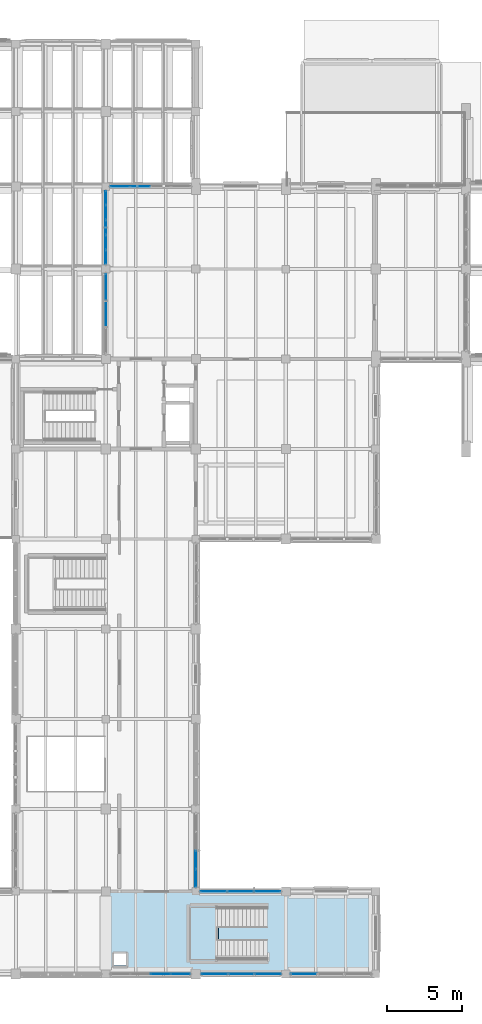
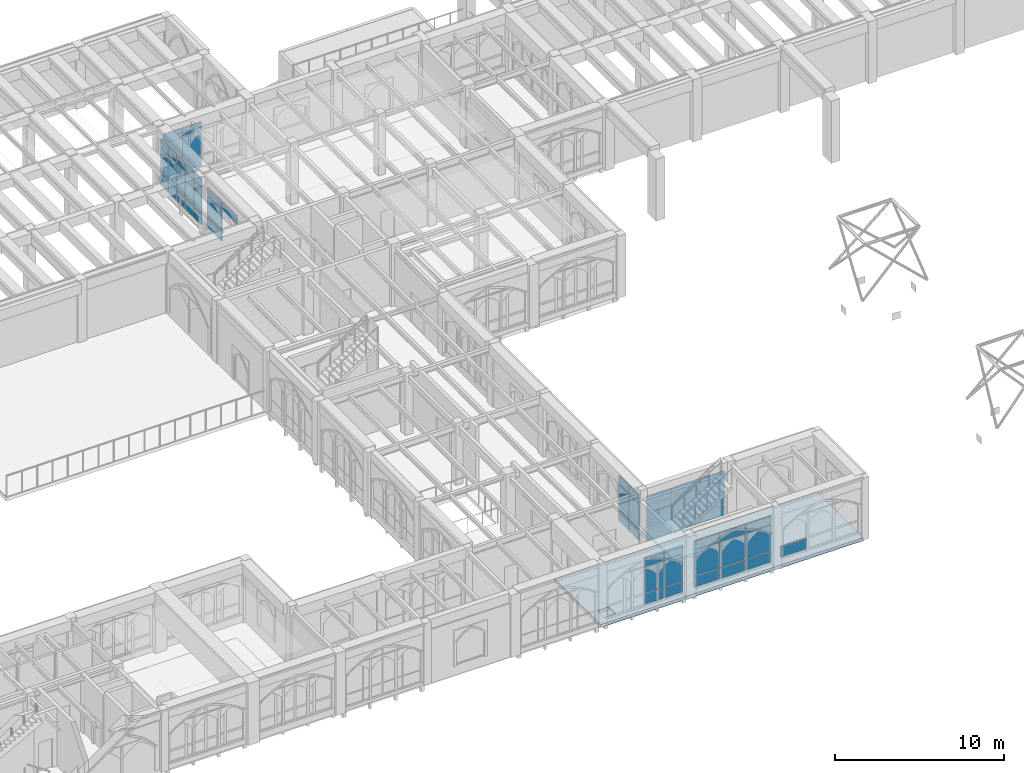
# One storey, part 69 of 127: 56 plates, 2 slabs, 9 elements without a shape of their own.
"""IFC4 building model written with IfcOpenShell, lengths in metres."""

import ifcopenshell
import ifcopenshell.guid

model = None  # the IFC model being written
_history = None  # IfcOwnerHistory: only IFC2X3 demands one
_inside = {}  # id of a spatial element -> (the spatial element, [elements in it])
_under = {}  # id of a project, library or spatial element -> (it, [spatial elements below it])
_declared = {}  # id of a project -> (the project, [libraries it declares])
_typed = {}  # id of a type object -> (the type object, [elements of that type])
_made_of = {}  # id of a material, layer set ... -> (it, [elements and type objects made of it])


def new_model(schema):
    """Start an empty IFC model of exactly this schema.

    Asked for "IFC4X3", IfcOpenShell would pick the latest addendum, in which some entities
    have other attributes; the version numbers below select the first issue.
    IFC2X3 requires an IfcOwnerHistory on every rooted entity: one is made here for all.
    """
    global model, _history
    if schema == "IFC4X3":
        model = ifcopenshell.file(schema_version=(4, 3, 0, 0))
    else:
        model = ifcopenshell.file(schema=schema)
    _inside.clear()
    _under.clear()
    _declared.clear()
    _typed.clear()
    _made_of.clear()
    _history = None
    if model.schema == "IFC2X3":
        org = make("IfcOrganization", Name="unknown")
        user = make(
            "IfcPersonAndOrganization",
            ThePerson=make("IfcPerson", FamilyName="unknown"),
            TheOrganization=org,
        )
        app = make(
            "IfcApplication",
            ApplicationDeveloper=org,
            Version="unknown",
            ApplicationFullName="unknown",
            ApplicationIdentifier="unknown",
        )
        _history = make(
            "IfcOwnerHistory",
            OwningUser=user,
            OwningApplication=app,
            ChangeAction="ADDED",
            CreationDate=0,
        )
    return model


def make(cls, **values):
    """One entity of the class cls with the attributes given. An attribute that is None is left unset."""
    return model.create_entity(
        cls, **{name: value for name, value in values.items() if value is not None}
    )


def rooted(cls, **values):
    """An entity with a GlobalId (a new one), such as an element, a storey or a relation."""
    return make(cls, GlobalId=ifcopenshell.guid.new(), OwnerHistory=_history, **values)


def si_unit(unit_type, name, prefix=None):
    """IfcSIUnit, for example si_unit("LENGTHUNIT", "METRE", prefix="MILLI")."""
    return make("IfcSIUnit", UnitType=unit_type, Prefix=prefix, Name=name)


def assignment(units):
    """IfcUnitAssignment: the units of a project."""
    return None if units is None else make("IfcUnitAssignment", Units=units)


def point(xyz):
    """IfcCartesianPoint."""
    return None if xyz is None else make("IfcCartesianPoint", Coordinates=xyz)


def direction(xyz):
    """IfcDirection."""
    return None if xyz is None else make("IfcDirection", DirectionRatios=xyz)


def frame(location, z_axis=None, x_axis=None):
    """IfcAxis2Placement3D, a coordinate frame: its origin and axes. An axis left out is left unset."""
    return make(
        "IfcAxis2Placement3D",
        Location=point(location),
        Axis=direction(z_axis),
        RefDirection=direction(x_axis),
    )


def frame_2d(location, x_axis=None):
    """IfcAxis2Placement2D, a coordinate frame in the plane: its origin and x axis."""
    return make(
        "IfcAxis2Placement2D", Location=point(location), RefDirection=direction(x_axis)
    )


def origin():
    """The frame at (0, 0, 0) with its axes left unset."""
    return frame((0.0, 0.0, 0.0))


def origin_2d():
    """The frame at (0, 0) in the plane with its x axis left unset."""
    return frame_2d((0.0, 0.0))


def place(relative_to, where):
    """IfcLocalPlacement: puts the frame where relative to a parent placement (None: the world)."""
    return make(
        "IfcLocalPlacement", PlacementRelTo=relative_to, RelativePlacement=where
    )


def context(
    kind, dimensions, precision=None, world=None, true_north=None, identifier=None
):
    """IfcGeometricRepresentationContext, for example the 3D "Model" context."""
    return make(
        "IfcGeometricRepresentationContext",
        ContextIdentifier=identifier,
        ContextType=kind,
        CoordinateSpaceDimension=dimensions,
        Precision=precision,
        WorldCoordinateSystem=world,
        TrueNorth=true_north,
    )


def subcontext(parent, identifier, kind, view, scale=None):
    """IfcGeometricRepresentationSubContext, for example "Body" below "Model"."""
    return make(
        "IfcGeometricRepresentationSubContext",
        ContextIdentifier=identifier,
        ContextType=kind,
        ParentContext=parent,
        TargetScale=scale,
        TargetView=view,
    )


def project(units=None, contexts=None):
    """IfcProject with its units and contexts."""
    return rooted(
        "IfcProject",
        Name="project",
        RepresentationContexts=contexts,
        UnitsInContext=assignment(units),
    )


def spatial(cls, under=None, at=None, **own):
    """A site, building, storey or space (cls), placed at a placement, below another one or the project."""
    s = rooted(cls, ObjectPlacement=at, **own)
    if under is not None:
        _under.setdefault(under.id(), (under, []))[1].append(s)
    return s


def polyline(points):
    """IfcPolyline through the points."""
    return make("IfcPolyline", Points=[point(p) for p in points])


def profile(cls, at=None, kind="AREA", **sizes):
    """A parametric profile (cls). Its sizes go by their IFC names, for example OverallWidth=200.0."""
    return make(cls, ProfileType=kind, Position=at, **sizes)


def rectangle(**sizes):
    """IfcRectangleProfileDef."""
    return profile("IfcRectangleProfileDef", **sizes)


def outline(outer, holes=None, kind="AREA"):
    """IfcArbitraryClosedProfileDef: a profile drawn as a closed curve; with holes, ...WithVoids."""
    if holes is None:
        return make("IfcArbitraryClosedProfileDef", ProfileType=kind, OuterCurve=outer)
    return make(
        "IfcArbitraryProfileDefWithVoids",
        ProfileType=kind,
        OuterCurve=outer,
        InnerCurves=holes,
    )


def extrude(swept, where, along, depth):
    """IfcExtrudedAreaSolid: the profile swept, set in the frame where, extruded along a direction by depth."""
    return make(
        "IfcExtrudedAreaSolid",
        SweptArea=swept,
        Position=where,
        ExtrudedDirection=direction(along),
        Depth=depth,
    )


def shape(context_of_items, identifier, shape_type, items):
    """IfcShapeRepresentation: the items that make up one representation, for example the "Body"."""
    return make(
        "IfcShapeRepresentation",
        ContextOfItems=context_of_items,
        RepresentationIdentifier=identifier,
        RepresentationType=shape_type,
        Items=items,
    )


def material(Name=None, Category=None):
    """IfcMaterial."""
    return make("IfcMaterial", Name=Name, Category=Category)


def layer(
    of_material, thickness, ventilated=None, Name=None, Category=None, Priority=None
):
    """IfcMaterialLayer: one layer of a wall or slab, of a material (None: an air gap)."""
    return make(
        "IfcMaterialLayer",
        Material=of_material,
        LayerThickness=thickness,
        IsVentilated=ventilated,
        Name=Name,
        Category=Category,
        Priority=Priority,
    )


def layer_set(layers, Name=None):
    """IfcMaterialLayerSet."""
    return make("IfcMaterialLayerSet", MaterialLayers=layers, LayerSetName=Name)


def made_of(thing, what):
    """Note that an element or type object is made of a material, layer set ...; save() writes the relation."""
    if what is not None:
        _made_of.setdefault(what.id(), (what, []))[1].append(thing)
    return thing


def type_object(cls, material=None, **own):
    """A type object (cls), such as IfcWallType, which elements share."""
    return made_of(rooted(cls, **own), material)


def element(
    cls,
    number,
    at=None,
    inside=None,
    cuts=None,
    type_object=None,
    material=None,
    context=None,
    identifier="Body",
    shape_type=None,
    held_by="IfcProductDefinitionShape",
    body=None,
    shapes=None,
    **own,
):
    """One element of the class cls, such as IfcWall. Its Tag is "e" and its number.

    at: its placement. inside: the storey or other place that contains it. cuts: it is an
    opening in that element (IfcRelVoidsElement). A single representation is given by context,
    identifier, shape_type and body (its items); several are given by shapes. held_by: the class
    of the entity that holds the representations. save() writes the other relations.
    """
    e = rooted(cls, Tag="e%d" % number, ObjectPlacement=at, **own)
    if body is not None:
        shapes = [shape(context, identifier, shape_type, body)]
    if shapes is not None:
        e.Representation = make(held_by, Representations=shapes)
    if inside is not None:
        _inside.setdefault(inside.id(), (inside, []))[1].append(e)
    if cuts is not None:
        rooted(
            "IfcRelVoidsElement", RelatingBuildingElement=cuts, RelatedOpeningElement=e
        )
    if type_object is not None:
        _typed.setdefault(type_object.id(), (type_object, []))[1].append(e)
    return made_of(e, material)


def aggregate(whole, parts):
    """IfcRelAggregates: a whole, such as a stair, and the parts it consists of."""
    return rooted("IfcRelAggregates", RelatingObject=whole, RelatedObjects=parts)


def save(model, path):
    """Write the relations noted so far, then the file.

    IfcRelAggregates (storeys below a building ...), IfcRelContainedInSpatialStructure (elements
    in a storey), IfcRelDefinesByType, IfcRelAssociatesMaterial and IfcRelDeclares: one each for
    every whole, place, type object, material and project.
    """
    for whole, parts in _under.values():
        aggregate(whole, parts)
    for where, things in _inside.values():
        rooted(
            "IfcRelContainedInSpatialStructure",
            RelatedElements=things,
            RelatingStructure=where,
        )
    for kind, things in _typed.values():
        rooted("IfcRelDefinesByType", RelatedObjects=things, RelatingType=kind)
    for what, things in _made_of.values():
        rooted("IfcRelAssociatesMaterial", RelatedObjects=things, RelatingMaterial=what)
    for by, libraries in _declared.values():
        rooted("IfcRelDeclares", RelatingContext=by, RelatedDefinitions=libraries)
    model.write(path)


model = new_model("IFC4")

# Units and contexts
model_context = context("Model", 3, precision=1e-05, world=origin(), true_north=direction((0.0, 1.0)))
body_context = subcontext(model_context, "Body", "Model", "MODEL_VIEW")
ifc_project = project(units=[si_unit("LENGTHUNIT", "METRE"), si_unit("AREAUNIT", "SQUARE_METRE"), si_unit("VOLUMEUNIT", "CUBIC_METRE"), si_unit("PLANEANGLEUNIT", "RADIAN"), si_unit("MASSUNIT", "GRAM", prefix="KILO")], contexts=[model_context])

# Site, building, storey
site_placement = place(None, origin())
site = spatial("IfcSite", under=ifc_project, at=site_placement, CompositionType="ELEMENT")
building_placement = place(site_placement, origin())
building = spatial("IfcBuilding", under=site, at=building_placement, Name="Cumevento Cable Car Station", CompositionType="ELEMENT")
storey_placement = place(building_placement, frame((0.0, 0.0, 4.5)))
storey = spatial("IfcBuildingStorey", under=building, at=storey_placement, Name="L02", CompositionType="ELEMENT", Elevation=4.5)

# Slab
ifc_material_1 = material(Name="Concrete C40/50", Category="concrete")
ifc_layer_1 = layer(ifc_material_1, 0.22412109375)
ifc_layer_set_1 = layer_set([ifc_layer_1], Name="Concrete C40/50")
slab_type_1 = type_object("IfcSlabType", Name="Concrete Deck FS-224 224", PredefinedType="FLOOR", material=ifc_layer_set_1)
slab_1_placement = place(storey_placement, frame((0.0, 0.0, -0.22412109375)))
element("IfcSlab", 1, at=slab_1_placement, inside=storey, type_object=slab_type_1, Name="Floor Slab FS-224 L02 B_V1b.2", PredefinedType="FLOOR", context=body_context, shape_type="SweptSolid", body=[
    extrude(outline(polyline([(64.0, 4.0), (82.0, 4.0), (82.0, 9.5), (64.0, 9.5), (64.0, 4.0)]), holes=[polyline([(64.550048828125, 4.550048828125), (65.35009765625, 4.550048828125), (65.35009765625, 5.35009765625), (64.550048828125, 5.35009765625), (64.550048828125, 4.550048828125)])]), origin(), (0.0, 0.0, 1.0), 0.22412109375),
])

# Curtain wall, plates
ifc_material_2 = material(Name="Anodised Bronze Aluminium AW-6063-T6", Category="aluminium")
ifc_layer_2 = layer(ifc_material_2, 0.23193359375)
ifc_layer_set_2 = layer_set([ifc_layer_2], Name="Anodised Bronze Aluminium AW-6063-T6")
curtain_wall_type_1 = type_object("IfcCurtainWallType", Name="Lancet Curtain Wall CW-13 1530", PredefinedType="NOTDEFINED", material=ifc_layer_set_2)
curtain_wall_1_placement = place(storey_placement, origin())
curtain_wall_1 = element("IfcCurtainWall", 2, at=curtain_wall_1_placement, inside=storey, type_object=curtain_wall_type_1, Name="Lancet Curtain Wall CW-13 L02 #28", PredefinedType="NOTDEFINED")
ifc_material_3 = material(Name="Solar Control Laminated Double Glazing", Category="glass")
ifc_layer_3 = layer(ifc_material_3, 0.02197265625)
ifc_layer_set_3 = layer_set([ifc_layer_3], Name="Solar Control Laminated Double Glazing")
plate_type_1 = type_object("IfcPlateType", Name="Glazed Panel CWP-01 22", PredefinedType="CURTAIN_PANEL", material=ifc_layer_set_3)
plate_1_placement = place(storey_placement, frame((68.983642578125, 4.0, 0.425048828125), z_axis=(0.0, 0.0, 1.0), x_axis=(-1.0, 0.0, 0.0)))
plate_1 = element("IfcPlate", 3, at=plate_1_placement, type_object=plate_type_1, Name="CW-13 panel 1.1", PredefinedType="CURTAIN_PANEL", context=body_context, shape_type="SweptSolid", body=[
    extrude(rectangle(XDim=1.25244140625, YDim=0.02197265625, at=origin_2d()), origin(), (0.0, 0.0, 1.0), 0.75244140625),
])
plate_2_placement = place(storey_placement, frame((68.983642578125, 4.0, 1.24267578125), z_axis=(0.0, 0.0, 1.0), x_axis=(-1.0, 0.0, 0.0)))
plate_2 = element("IfcPlate", 4, at=plate_2_placement, type_object=plate_type_1, Name="CW-13 panel 1.2", PredefinedType="CURTAIN_PANEL", context=body_context, shape_type="SweptSolid", body=[
    extrude(rectangle(XDim=1.25244140625, YDim=0.02197265625, at=origin_2d()), origin(), (0.0, 0.0, 1.0), 1.882080078125),
])
plate_3_placement = place(storey_placement, frame((68.983642578125, 4.0, 3.189453125), z_axis=(0.0, 0.0, 1.0), x_axis=(-1.0, 0.0, 0.0)))
plate_3 = element("IfcPlate", 5, at=plate_3_placement, type_object=plate_type_1, Name="CW-13 panel 1.3", PredefinedType="CURTAIN_PANEL", context=body_context, shape_type="SweptSolid", body=[
    extrude(rectangle(XDim=1.25244140625, YDim=0.02197265625, at=origin_2d()), origin(), (0.0, 0.0, 1.0), 0.6025390625),
])
plate_4_placement = place(storey_placement, frame((67.64990234375, 4.0, 0.425048828125), z_axis=(0.0, 0.0, 1.0), x_axis=(-1.0, 0.0, 0.0)))
plate_4 = element("IfcPlate", 6, at=plate_4_placement, type_object=plate_type_1, Name="CW-13 panel 2.1", PredefinedType="CURTAIN_PANEL", context=body_context, shape_type="SweptSolid", body=[
    extrude(rectangle(XDim=1.284912109375, YDim=0.02197265625, at=origin_2d()), origin(), (0.0, 0.0, 1.0), 0.75244140625),
])
plate_5_placement = place(storey_placement, frame((67.64990234375, 4.0, 1.24267578125), z_axis=(0.0, 0.0, 1.0), x_axis=(-1.0, 0.0, 0.0)))
plate_5 = element("IfcPlate", 7, at=plate_5_placement, type_object=plate_type_1, Name="CW-13 panel 2.2", PredefinedType="CURTAIN_PANEL", context=body_context, shape_type="SweptSolid", body=[
    extrude(rectangle(XDim=1.284912109375, YDim=0.02197265625, at=origin_2d()), origin(), (0.0, 0.0, 1.0), 1.882080078125),
])
plate_6_placement = place(storey_placement, frame((67.64990234375, 4.0, 3.189453125), z_axis=(0.0, 0.0, 1.0), x_axis=(-1.0, 0.0, 0.0)))
plate_6 = element("IfcPlate", 8, at=plate_6_placement, type_object=plate_type_1, Name="CW-13 panel 2.3", PredefinedType="CURTAIN_PANEL", context=body_context, shape_type="SweptSolid", body=[
    extrude(rectangle(XDim=1.284912109375, YDim=0.02197265625, at=origin_2d()), origin(), (0.0, 0.0, 1.0), 0.6025390625),
])
aggregate(curtain_wall_1, [plate_1, plate_2, plate_3, plate_4, plate_5, plate_6])

ifc_material_4 = material(Name="Anodised Bronze Aluminium AW-6063-T6", Category="aluminium")
ifc_layer_4 = layer(ifc_material_4, 0.238037109375)
ifc_layer_set_4 = layer_set([ifc_layer_4], Name="Anodised Bronze Aluminium AW-6063-T6")
curtain_wall_type_2 = type_object("IfcCurtainWallType", Name="Lancet Curtain Wall CW-14 1570", PredefinedType="NOTDEFINED", material=ifc_layer_set_4)
curtain_wall_2_placement = place(storey_placement, origin())
curtain_wall_2 = element("IfcCurtainWall", 9, at=curtain_wall_2_placement, inside=storey, type_object=curtain_wall_type_2, Name="Lancet Curtain Wall CW-14 L02 #29", PredefinedType="NOTDEFINED")
ifc_material_5 = material(Name="Solar Control Laminated Double Glazing", Category="glass")
ifc_layer_5 = layer(ifc_material_5, 0.02587890625)
ifc_layer_set_5 = layer_set([ifc_layer_5], Name="Solar Control Laminated Double Glazing")
plate_type_2 = type_object("IfcPlateType", Name="Glazed Panel CWP-02 26", PredefinedType="CURTAIN_PANEL", material=ifc_layer_set_5)
plate_7_placement = place(storey_placement, frame((74.808837890625, 4.0, 0.47509765625), z_axis=(0.0, 0.0, 1.0), x_axis=(-1.0, 0.0, 0.0)))
plate_7 = element("IfcPlate", 10, at=plate_7_placement, type_object=plate_type_2, Name="CW-14 panel 1.1", PredefinedType="CURTAIN_PANEL", context=body_context, shape_type="SweptSolid", body=[
    extrude(rectangle(XDim=1.702392578125, YDim=0.02587890625, at=origin_2d()), origin(), (0.0, 0.0, 1.0), 0.75244140625),
])
plate_8_placement = place(storey_placement, frame((74.808837890625, 4.0, 1.29248046875), z_axis=(0.0, 0.0, 1.0), x_axis=(-1.0, 0.0, 0.0)))
plate_8 = element("IfcPlate", 11, at=plate_8_placement, type_object=plate_type_2, Name="CW-14 panel 1.2", PredefinedType="CURTAIN_PANEL", context=body_context, shape_type="SweptSolid", body=[
    extrude(rectangle(XDim=1.702392578125, YDim=0.02587890625, at=origin_2d()), origin(), (0.0, 0.0, 1.0), 1.83203125),
])
plate_9_placement = place(storey_placement, frame((74.808837890625, 4.0, 3.189453125), z_axis=(0.0, 0.0, 1.0), x_axis=(-1.0, 0.0, 0.0)))
plate_9 = element("IfcPlate", 12, at=plate_9_placement, type_object=plate_type_2, Name="CW-14 panel 1.3", PredefinedType="CURTAIN_PANEL", context=body_context, shape_type="SweptSolid", body=[
    extrude(rectangle(XDim=1.702392578125, YDim=0.02587890625, at=origin_2d()), origin(), (0.0, 0.0, 1.0), 0.6025390625),
])
plate_10_placement = place(storey_placement, frame((73.02490234375, 4.0, 0.47509765625), z_axis=(0.0, 0.0, 1.0), x_axis=(-1.0, 0.0, 0.0)))
plate_10 = element("IfcPlate", 13, at=plate_10_placement, type_object=plate_type_2, Name="CW-14 panel 2.1", PredefinedType="CURTAIN_PANEL", context=body_context, shape_type="SweptSolid", body=[
    extrude(rectangle(XDim=1.735107421875, YDim=0.02587890625, at=origin_2d()), origin(), (0.0, 0.0, 1.0), 0.75244140625),
])
plate_11_placement = place(storey_placement, frame((73.02490234375, 4.0, 1.29248046875), z_axis=(0.0, 0.0, 1.0), x_axis=(-1.0, 0.0, 0.0)))
plate_11 = element("IfcPlate", 14, at=plate_11_placement, type_object=plate_type_2, Name="CW-14 panel 2.2", PredefinedType="CURTAIN_PANEL", context=body_context, shape_type="SweptSolid", body=[
    extrude(rectangle(XDim=1.735107421875, YDim=0.02587890625, at=origin_2d()), origin(), (0.0, 0.0, 1.0), 1.83203125),
])
plate_12_placement = place(storey_placement, frame((73.02490234375, 4.0, 3.189453125), z_axis=(0.0, 0.0, 1.0), x_axis=(-1.0, 0.0, 0.0)))
plate_12 = element("IfcPlate", 15, at=plate_12_placement, type_object=plate_type_2, Name="CW-14 panel 2.3", PredefinedType="CURTAIN_PANEL", context=body_context, shape_type="SweptSolid", body=[
    extrude(rectangle(XDim=1.735107421875, YDim=0.02587890625, at=origin_2d()), origin(), (0.0, 0.0, 1.0), 0.6025390625),
])
plate_13_placement = place(storey_placement, frame((71.2412109375, 4.0, 0.47509765625), z_axis=(0.0, 0.0, 1.0), x_axis=(-1.0, 0.0, 0.0)))
plate_13 = element("IfcPlate", 16, at=plate_13_placement, type_object=plate_type_2, Name="CW-14 panel 3.1", PredefinedType="CURTAIN_PANEL", context=body_context, shape_type="SweptSolid", body=[
    extrude(rectangle(XDim=1.702392578125, YDim=0.02587890625, at=origin_2d()), origin(), (0.0, 0.0, 1.0), 0.75244140625),
])
plate_14_placement = place(storey_placement, frame((71.2412109375, 4.0, 1.29248046875), z_axis=(0.0, 0.0, 1.0), x_axis=(-1.0, 0.0, 0.0)))
plate_14 = element("IfcPlate", 17, at=plate_14_placement, type_object=plate_type_2, Name="CW-14 panel 3.2", PredefinedType="CURTAIN_PANEL", context=body_context, shape_type="SweptSolid", body=[
    extrude(rectangle(XDim=1.702392578125, YDim=0.02587890625, at=origin_2d()), origin(), (0.0, 0.0, 1.0), 1.83203125),
])
plate_15_placement = place(storey_placement, frame((71.2412109375, 4.0, 3.189453125), z_axis=(0.0, 0.0, 1.0), x_axis=(-1.0, 0.0, 0.0)))
plate_15 = element("IfcPlate", 18, at=plate_15_placement, type_object=plate_type_2, Name="CW-14 panel 3.3", PredefinedType="CURTAIN_PANEL", context=body_context, shape_type="SweptSolid", body=[
    extrude(rectangle(XDim=1.702392578125, YDim=0.02587890625, at=origin_2d()), origin(), (0.0, 0.0, 1.0), 0.6025390625),
])
aggregate(curtain_wall_2, [plate_7, plate_8, plate_9, plate_10, plate_11, plate_12, plate_13, plate_14, plate_15])

ifc_material_6 = material(Name="Anodised Bronze Aluminium AW-6063-T6", Category="aluminium")
ifc_layer_6 = layer(ifc_material_6, 0.243896484375)
ifc_layer_set_6 = layer_set([ifc_layer_6], Name="Anodised Bronze Aluminium AW-6063-T6")
curtain_wall_type_3 = type_object("IfcCurtainWallType", Name="Lancet Curtain Wall CW-15 1610", PredefinedType="NOTDEFINED", material=ifc_layer_set_6)
curtain_wall_3_placement = place(storey_placement, origin())
curtain_wall_3 = element("IfcCurtainWall", 19, at=curtain_wall_3_placement, inside=storey, type_object=curtain_wall_type_3, Name="Lancet Curtain Wall CW-15 L02 #30", PredefinedType="NOTDEFINED")
ifc_material_7 = material(Name="Solar Control Laminated Double Glazing", Category="glass")
ifc_layer_7 = layer(ifc_material_7, 0.030029296875)
ifc_layer_set_7 = layer_set([ifc_layer_7], Name="Solar Control Laminated Double Glazing")
plate_type_3 = type_object("IfcPlateType", Name="Glazed Panel CWP-03 30", PredefinedType="CURTAIN_PANEL", material=ifc_layer_set_7)
plate_16_placement = place(storey_placement, frame((71.174560546875, 9.5, 0.525146484375), z_axis=(0.0, 0.0, 1.0), x_axis=(1.0, 0.0, 0.0)))
plate_16 = element("IfcPlate", 20, at=plate_16_placement, type_object=plate_type_3, Name="CW-15 panel 1.1", PredefinedType="CURTAIN_PANEL", context=body_context, shape_type="SweptSolid", body=[
    extrude(rectangle(XDim=1.71923828125, YDim=0.030029296875, at=origin_2d()), origin(), (0.0, 0.0, 1.0), 0.75244140625),
])
plate_17_placement = place(storey_placement, frame((71.174560546875, 9.5, 1.34228515625), z_axis=(0.0, 0.0, 1.0), x_axis=(1.0, 0.0, 0.0)))
plate_17 = element("IfcPlate", 21, at=plate_17_placement, type_object=plate_type_3, Name="CW-15 panel 1.2", PredefinedType="CURTAIN_PANEL", context=body_context, shape_type="SweptSolid", body=[
    extrude(rectangle(XDim=1.71923828125, YDim=0.030029296875, at=origin_2d()), origin(), (0.0, 0.0, 1.0), 1.758056640625),
])
plate_18_placement = place(storey_placement, frame((71.174560546875, 9.5, 3.16552734375), z_axis=(0.0, 0.0, 1.0), x_axis=(1.0, 0.0, 0.0)))
plate_18 = element("IfcPlate", 22, at=plate_18_placement, type_object=plate_type_3, Name="CW-15 panel 1.3", PredefinedType="CURTAIN_PANEL", context=body_context, shape_type="SweptSolid", body=[
    extrude(rectangle(XDim=1.71923828125, YDim=0.030029296875, at=origin_2d()), origin(), (0.0, 0.0, 1.0), 0.6025390625),
])
plate_19_placement = place(storey_placement, frame((72.97509765625, 9.5, 0.525146484375), z_axis=(0.0, 0.0, 1.0), x_axis=(1.0, 0.0, 0.0)))
plate_19 = element("IfcPlate", 23, at=plate_19_placement, type_object=plate_type_3, Name="CW-15 panel 2.1", PredefinedType="CURTAIN_PANEL", context=body_context, shape_type="SweptSolid", body=[
    extrude(rectangle(XDim=1.751708984375, YDim=0.030029296875, at=origin_2d()), origin(), (0.0, 0.0, 1.0), 0.75244140625),
])
plate_20_placement = place(storey_placement, frame((72.97509765625, 9.5, 1.34228515625), z_axis=(0.0, 0.0, 1.0), x_axis=(1.0, 0.0, 0.0)))
plate_20 = element("IfcPlate", 24, at=plate_20_placement, type_object=plate_type_3, Name="CW-15 panel 2.2", PredefinedType="CURTAIN_PANEL", context=body_context, shape_type="SweptSolid", body=[
    extrude(rectangle(XDim=1.751708984375, YDim=0.030029296875, at=origin_2d()), origin(), (0.0, 0.0, 1.0), 1.758056640625),
])
plate_21_placement = place(storey_placement, frame((72.97509765625, 9.5, 3.16552734375), z_axis=(0.0, 0.0, 1.0), x_axis=(1.0, 0.0, 0.0)))
plate_21 = element("IfcPlate", 25, at=plate_21_placement, type_object=plate_type_3, Name="CW-15 panel 2.3", PredefinedType="CURTAIN_PANEL", context=body_context, shape_type="SweptSolid", body=[
    extrude(rectangle(XDim=1.751708984375, YDim=0.030029296875, at=origin_2d()), origin(), (0.0, 0.0, 1.0), 0.6025390625),
])
plate_22_placement = place(storey_placement, frame((74.775390625, 9.5, 0.525146484375), z_axis=(0.0, 0.0, 1.0), x_axis=(1.0, 0.0, 0.0)))
plate_22 = element("IfcPlate", 26, at=plate_22_placement, type_object=plate_type_3, Name="CW-15 panel 3.1", PredefinedType="CURTAIN_PANEL", context=body_context, shape_type="SweptSolid", body=[
    extrude(rectangle(XDim=1.71923828125, YDim=0.030029296875, at=origin_2d()), origin(), (0.0, 0.0, 1.0), 0.75244140625),
])
plate_23_placement = place(storey_placement, frame((74.775390625, 9.5, 1.34228515625), z_axis=(0.0, 0.0, 1.0), x_axis=(1.0, 0.0, 0.0)))
plate_23 = element("IfcPlate", 27, at=plate_23_placement, type_object=plate_type_3, Name="CW-15 panel 3.2", PredefinedType="CURTAIN_PANEL", context=body_context, shape_type="SweptSolid", body=[
    extrude(rectangle(XDim=1.71923828125, YDim=0.030029296875, at=origin_2d()), origin(), (0.0, 0.0, 1.0), 1.758056640625),
])
plate_24_placement = place(storey_placement, frame((74.775390625, 9.5, 3.16552734375), z_axis=(0.0, 0.0, 1.0), x_axis=(1.0, 0.0, 0.0)))
plate_24 = element("IfcPlate", 28, at=plate_24_placement, type_object=plate_type_3, Name="CW-15 panel 3.3", PredefinedType="CURTAIN_PANEL", context=body_context, shape_type="SweptSolid", body=[
    extrude(rectangle(XDim=1.71923828125, YDim=0.030029296875, at=origin_2d()), origin(), (0.0, 0.0, 1.0), 0.6025390625),
])
aggregate(curtain_wall_3, [plate_16, plate_17, plate_18, plate_19, plate_20, plate_21, plate_22, plate_23, plate_24])

# Curtain wall, plate
ifc_material_8 = material(Name="Anodised Bronze Aluminium AW-6063-T6", Category="aluminium")
ifc_layer_8 = layer(ifc_material_8, 0.25)
ifc_layer_set_8 = layer_set([ifc_layer_8], Name="Anodised Bronze Aluminium AW-6063-T6")
curtain_wall_type_4 = type_object("IfcCurtainWallType", Name="Lancet Curtain Wall CW-16 1650", PredefinedType="NOTDEFINED", material=ifc_layer_set_8)
curtain_wall_4_placement = place(storey_placement, origin())
curtain_wall_4 = element("IfcCurtainWall", 29, at=curtain_wall_4_placement, inside=storey, type_object=curtain_wall_type_4, Name="Lancet Curtain Wall CW-16 L02 #31", PredefinedType="NOTDEFINED")
ifc_material_9 = material(Name="Solar Control Laminated Double Glazing", Category="glass")
ifc_layer_9 = layer(ifc_material_9, 0.033935546875)
ifc_layer_set_9 = layer_set([ifc_layer_9], Name="Solar Control Laminated Double Glazing")
plate_type_4 = type_object("IfcPlateType", Name="Glazed Panel CWP-04 34", PredefinedType="CURTAIN_PANEL", material=ifc_layer_set_9)
plate_25_placement = place(storey_placement, frame((77.203857421875, 4.0, 0.5849609375), z_axis=(0.0, 0.0, 1.0), x_axis=(-1.0, 0.0, 0.0)))
plate_25 = element("IfcPlate", 30, at=plate_25_placement, type_object=plate_type_4, Name="CW-16 panel 3.1", PredefinedType="CURTAIN_PANEL", context=body_context, shape_type="SweptSolid", body=[
    extrude(rectangle(XDim=1.7275390625, YDim=0.033935546875, at=origin_2d()), origin(), (0.0, 0.0, 1.0), 0.75244140625),
])
aggregate(curtain_wall_4, [plate_25])

# Curtain wall, plates
ifc_material_10 = material(Name="Anodised Bronze Aluminium AW-6063-T6", Category="aluminium")
ifc_layer_10 = layer(ifc_material_10, 0.22607421875)
ifc_layer_set_10 = layer_set([ifc_layer_10], Name="Anodised Bronze Aluminium AW-6063-T6")
curtain_wall_type_5 = type_object("IfcCurtainWallType", Name="Lancet Curtain Wall CW-12 1490", PredefinedType="NOTDEFINED", material=ifc_layer_set_10)
curtain_wall_5_placement = place(storey_placement, origin())
curtain_wall_5 = element("IfcCurtainWall", 31, at=curtain_wall_5_placement, inside=storey, type_object=curtain_wall_type_5, Name="Lancet Curtain Wall CW-12 L02 #59", PredefinedType="NOTDEFINED")
plate_26_placement = place(storey_placement, frame((64.947509765625, 56.5, 0.375), z_axis=(0.0, 0.0, 1.0), x_axis=(1.0, 0.0, 0.0)))
plate_26 = element("IfcPlate", 32, at=plate_26_placement, type_object=plate_type_4, Name="CW-12 panel 1.1", PredefinedType="CURTAIN_PANEL", context=body_context, shape_type="SweptSolid", body=[
    extrude(rectangle(XDim=1.264892578125, YDim=0.033935546875, at=origin_2d()), origin(), (0.0, 0.0, 1.0), 0.75244140625),
])
plate_27_placement = place(storey_placement, frame((64.947509765625, 56.5, 1.1923828125), z_axis=(0.0, 0.0, 1.0), x_axis=(1.0, 0.0, 0.0)))
plate_27 = element("IfcPlate", 33, at=plate_27_placement, type_object=plate_type_4, Name="CW-12 panel 1.2", PredefinedType="CURTAIN_PANEL", context=body_context, shape_type="SweptSolid", body=[
    extrude(rectangle(XDim=1.264892578125, YDim=0.033935546875, at=origin_2d()), origin(), (0.0, 0.0, 1.0), 1.721923828125),
])
plate_28_placement = place(storey_placement, frame((64.947509765625, 56.5, 2.9794921875), z_axis=(0.0, 0.0, 1.0), x_axis=(1.0, 0.0, 0.0)))
plate_28 = element("IfcPlate", 34, at=plate_28_placement, type_object=plate_type_4, Name="CW-12 panel 1.3", PredefinedType="CURTAIN_PANEL", context=body_context, shape_type="SweptSolid", body=[
    extrude(rectangle(XDim=1.264892578125, YDim=0.033935546875, at=origin_2d()), origin(), (0.0, 0.0, 1.0), 0.6025390625),
])
plate_29_placement = place(storey_placement, frame((66.293701171875, 56.5, 0.375), z_axis=(0.0, 0.0, 1.0), x_axis=(1.0, 0.0, 0.0)))
plate_29 = element("IfcPlate", 35, at=plate_29_placement, type_object=plate_type_4, Name="CW-12 panel 2.1", PredefinedType="CURTAIN_PANEL", context=body_context, shape_type="SweptSolid", body=[
    extrude(rectangle(XDim=1.297607421875, YDim=0.033935546875, at=origin_2d()), origin(), (0.0, 0.0, 1.0), 0.75244140625),
])
plate_30_placement = place(storey_placement, frame((66.293701171875, 56.5, 1.1923828125), z_axis=(0.0, 0.0, 1.0), x_axis=(1.0, 0.0, 0.0)))
plate_30 = element("IfcPlate", 36, at=plate_30_placement, type_object=plate_type_4, Name="CW-12 panel 2.2", PredefinedType="CURTAIN_PANEL", context=body_context, shape_type="SweptSolid", body=[
    extrude(rectangle(XDim=1.297607421875, YDim=0.033935546875, at=origin_2d()), origin(), (0.0, 0.0, 1.0), 1.721923828125),
])
plate_31_placement = place(storey_placement, frame((66.293701171875, 56.5, 2.9794921875), z_axis=(0.0, 0.0, 1.0), x_axis=(1.0, 0.0, 0.0)))
plate_31 = element("IfcPlate", 37, at=plate_31_placement, type_object=plate_type_4, Name="CW-12 panel 2.3", PredefinedType="CURTAIN_PANEL", context=body_context, shape_type="SweptSolid", body=[
    extrude(rectangle(XDim=1.297607421875, YDim=0.033935546875, at=origin_2d()), origin(), (0.0, 0.0, 1.0), 0.6025390625),
])
aggregate(curtain_wall_5, [plate_26, plate_27, plate_28, plate_29, plate_30, plate_31])

curtain_wall_6_placement = place(storey_placement, origin())
curtain_wall_6 = element("IfcCurtainWall", 38, at=curtain_wall_6_placement, inside=storey, type_object=curtain_wall_type_3, Name="Lancet Curtain Wall CW-15 L02 #62", PredefinedType="NOTDEFINED")
ifc_material_11 = material(Name="Solar Control Laminated Double Glazing", Category="glass")
ifc_layer_11 = layer(ifc_material_11, 0.0458984375)
ifc_layer_set_11 = layer_set([ifc_layer_11], Name="Solar Control Laminated Double Glazing")
plate_type_5 = type_object("IfcPlateType", Name="Glazed Panel CWP-07 46", PredefinedType="CURTAIN_PANEL", material=ifc_layer_set_11)
plate_32_placement = place(storey_placement, frame((64.0, 48.012451171875, 2.83447265625), z_axis=(0.0, 0.0, 1.0), x_axis=(0.0, 1.0, 0.0)))
plate_32 = element("IfcPlate", 39, at=plate_32_placement, type_object=plate_type_5, Name="CW-15 panel 2.3", PredefinedType="CURTAIN_PANEL", context=body_context, shape_type="SweptSolid", body=[
    extrude(rectangle(XDim=1.743408203125, YDim=0.0458984375, at=origin_2d()), origin(), (0.0, 0.0, 1.0), 0.6025390625),
])
plate_33_placement = place(storey_placement, frame((64.0, 49.8046875, 0.525146484375), z_axis=(0.0, 0.0, 1.0), x_axis=(0.0, 1.0, 0.0)))
plate_33 = element("IfcPlate", 40, at=plate_33_placement, type_object=plate_type_5, Name="CW-15 panel 3.1", PredefinedType="CURTAIN_PANEL", context=body_context, shape_type="SweptSolid", body=[
    extrude(rectangle(XDim=1.7109375, YDim=0.0458984375, at=origin_2d()), origin(), (0.0, 0.0, 1.0), 0.75244140625),
])
plate_34_placement = place(storey_placement, frame((64.0, 49.8046875, 1.34228515625), z_axis=(0.0, 0.0, 1.0), x_axis=(0.0, 1.0, 0.0)))
plate_34 = element("IfcPlate", 41, at=plate_34_placement, type_object=plate_type_5, Name="CW-15 panel 3.2", PredefinedType="CURTAIN_PANEL", context=body_context, shape_type="SweptSolid", body=[
    extrude(rectangle(XDim=1.7109375, YDim=0.0458984375, at=origin_2d()), origin(), (0.0, 0.0, 1.0), 1.427001953125),
])
plate_35_placement = place(storey_placement, frame((64.0, 49.8046875, 2.83447265625), z_axis=(0.0, 0.0, 1.0), x_axis=(0.0, 1.0, 0.0)))
plate_35 = element("IfcPlate", 42, at=plate_35_placement, type_object=plate_type_5, Name="CW-15 panel 3.3", PredefinedType="CURTAIN_PANEL", context=body_context, shape_type="SweptSolid", body=[
    extrude(rectangle(XDim=1.7109375, YDim=0.0458984375, at=origin_2d()), origin(), (0.0, 0.0, 1.0), 0.6025390625),
])
aggregate(curtain_wall_6, [plate_32, plate_33, plate_34, plate_35])

ifc_material_12 = material(Name="Anodised Bronze Aluminium AW-6063-T6", Category="aluminium")
ifc_layer_12 = layer(ifc_material_12, 0.159912109375)
ifc_layer_set_12 = layer_set([ifc_layer_12], Name="Anodised Bronze Aluminium AW-6063-T6")
curtain_wall_type_6 = type_object("IfcCurtainWallType", Name="Lancet Curtain Wall CW-01 1050", PredefinedType="NOTDEFINED", material=ifc_layer_set_12)
curtain_wall_7_placement = place(storey_placement, origin())
curtain_wall_7 = element("IfcCurtainWall", 43, at=curtain_wall_7_placement, inside=storey, type_object=curtain_wall_type_6, Name="Lancet Curtain Wall CW-01 L02 #64", PredefinedType="NOTDEFINED")
ifc_material_13 = material(Name="Insulated Bronze Aluminium Spandrel Panel", Category="aluminium")
ifc_layer_13 = layer(ifc_material_13, 0.054931640625)
ifc_layer_set_13 = layer_set([ifc_layer_13], Name="Insulated Bronze Aluminium Spandrel Panel")
plate_type_6 = type_object("IfcPlateType", Name="Spandrel Panel CWP-09 55", PredefinedType="CURTAIN_PANEL", material=ifc_layer_set_13)
plate_36_placement = place(storey_placement, frame((64.0, 51.788818359375, 0.22509765625), z_axis=(0.0, 0.0, 1.0), x_axis=(0.0, 1.0, 0.0)))
plate_36 = element("IfcPlate", 44, at=plate_36_placement, type_object=plate_type_6, Name="CW-01 panel 1.1", PredefinedType="CURTAIN_PANEL", context=body_context, shape_type="SweptSolid", body=[
    extrude(rectangle(XDim=0.8974609375, YDim=0.054931640625, at=origin_2d()), origin(), (0.0, 0.0, 1.0), 0.75244140625),
])
plate_37_placement = place(storey_placement, frame((64.0, 51.788818359375, 1.04248046875), z_axis=(0.0, 0.0, 1.0), x_axis=(0.0, 1.0, 0.0)))
plate_37 = element("IfcPlate", 45, at=plate_37_placement, type_object=plate_type_6, Name="CW-01 panel 1.2", PredefinedType="CURTAIN_PANEL", context=body_context, shape_type="SweptSolid", body=[
    extrude(rectangle(XDim=0.8974609375, YDim=0.054931640625, at=origin_2d()), origin(), (0.0, 0.0, 1.0), 1.8779296875),
])
plate_38_placement = place(storey_placement, frame((64.0, 51.788818359375, 2.985595703125), z_axis=(0.0, 0.0, 1.0), x_axis=(0.0, 1.0, 0.0)))
plate_38 = element("IfcPlate", 46, at=plate_38_placement, type_object=plate_type_6, Name="CW-01 panel 1.3", PredefinedType="CURTAIN_PANEL", context=body_context, shape_type="SweptSolid", body=[
    extrude(rectangle(XDim=0.8974609375, YDim=0.054931640625, at=origin_2d()), origin(), (0.0, 0.0, 1.0), 0.6025390625),
])
plate_39_placement = place(storey_placement, frame((64.0, 52.767578125, 0.22509765625), z_axis=(0.0, 0.0, 1.0), x_axis=(0.0, 1.0, 0.0)))
plate_39 = element("IfcPlate", 47, at=plate_39_placement, type_object=plate_type_6, Name="CW-01 panel 2.1", PredefinedType="CURTAIN_PANEL", context=body_context, shape_type="SweptSolid", body=[
    extrude(rectangle(XDim=0.929931640625, YDim=0.054931640625, at=origin_2d()), origin(), (0.0, 0.0, 1.0), 0.75244140625),
])
plate_40_placement = place(storey_placement, frame((64.0, 52.767578125, 1.04248046875), z_axis=(0.0, 0.0, 1.0), x_axis=(0.0, 1.0, 0.0)))
plate_40 = element("IfcPlate", 48, at=plate_40_placement, type_object=plate_type_6, Name="CW-01 panel 2.2", PredefinedType="CURTAIN_PANEL", context=body_context, shape_type="SweptSolid", body=[
    extrude(rectangle(XDim=0.929931640625, YDim=0.054931640625, at=origin_2d()), origin(), (0.0, 0.0, 1.0), 1.8779296875),
])
plate_41_placement = place(storey_placement, frame((64.0, 52.767578125, 2.985595703125), z_axis=(0.0, 0.0, 1.0), x_axis=(0.0, 1.0, 0.0)))
plate_41 = element("IfcPlate", 49, at=plate_41_placement, type_object=plate_type_6, Name="CW-01 panel 2.3", PredefinedType="CURTAIN_PANEL", context=body_context, shape_type="SweptSolid", body=[
    extrude(rectangle(XDim=0.929931640625, YDim=0.054931640625, at=origin_2d()), origin(), (0.0, 0.0, 1.0), 0.6025390625),
])
plate_42_placement = place(storey_placement, frame((64.0, 53.762451171875, 0.22509765625), z_axis=(0.0, 0.0, 1.0), x_axis=(0.0, 1.0, 0.0)))
plate_42 = element("IfcPlate", 50, at=plate_42_placement, type_object=plate_type_6, Name="CW-01 panel 3.1", PredefinedType="CURTAIN_PANEL", context=body_context, shape_type="SweptSolid", body=[
    extrude(rectangle(XDim=0.929931640625, YDim=0.054931640625, at=origin_2d()), origin(), (0.0, 0.0, 1.0), 0.75244140625),
])
plate_43_placement = place(storey_placement, frame((64.0, 53.762451171875, 1.04248046875), z_axis=(0.0, 0.0, 1.0), x_axis=(0.0, 1.0, 0.0)))
plate_43 = element("IfcPlate", 51, at=plate_43_placement, type_object=plate_type_6, Name="CW-01 panel 3.2", PredefinedType="CURTAIN_PANEL", context=body_context, shape_type="SweptSolid", body=[
    extrude(rectangle(XDim=0.929931640625, YDim=0.054931640625, at=origin_2d()), origin(), (0.0, 0.0, 1.0), 1.8779296875),
])
plate_44_placement = place(storey_placement, frame((64.0, 53.762451171875, 2.985595703125), z_axis=(0.0, 0.0, 1.0), x_axis=(0.0, 1.0, 0.0)))
plate_44 = element("IfcPlate", 52, at=plate_44_placement, type_object=plate_type_6, Name="CW-01 panel 3.3", PredefinedType="CURTAIN_PANEL", context=body_context, shape_type="SweptSolid", body=[
    extrude(rectangle(XDim=0.929931640625, YDim=0.054931640625, at=origin_2d()), origin(), (0.0, 0.0, 1.0), 0.6025390625),
])
plate_45_placement = place(storey_placement, frame((64.0, 54.757568359375, 0.22509765625), z_axis=(0.0, 0.0, 1.0), x_axis=(0.0, 1.0, 0.0)))
plate_45 = element("IfcPlate", 53, at=plate_45_placement, type_object=plate_type_6, Name="CW-01 panel 4.1", PredefinedType="CURTAIN_PANEL", context=body_context, shape_type="SweptSolid", body=[
    extrude(rectangle(XDim=0.929931640625, YDim=0.054931640625, at=origin_2d()), origin(), (0.0, 0.0, 1.0), 0.75244140625),
])
plate_46_placement = place(storey_placement, frame((64.0, 54.757568359375, 1.04248046875), z_axis=(0.0, 0.0, 1.0), x_axis=(0.0, 1.0, 0.0)))
plate_46 = element("IfcPlate", 54, at=plate_46_placement, type_object=plate_type_6, Name="CW-01 panel 4.2", PredefinedType="CURTAIN_PANEL", context=body_context, shape_type="SweptSolid", body=[
    extrude(rectangle(XDim=0.929931640625, YDim=0.054931640625, at=origin_2d()), origin(), (0.0, 0.0, 1.0), 1.8779296875),
])
plate_47_placement = place(storey_placement, frame((64.0, 54.757568359375, 2.985595703125), z_axis=(0.0, 0.0, 1.0), x_axis=(0.0, 1.0, 0.0)))
plate_47 = element("IfcPlate", 55, at=plate_47_placement, type_object=plate_type_6, Name="CW-01 panel 4.3", PredefinedType="CURTAIN_PANEL", context=body_context, shape_type="SweptSolid", body=[
    extrude(rectangle(XDim=0.929931640625, YDim=0.054931640625, at=origin_2d()), origin(), (0.0, 0.0, 1.0), 0.6025390625),
])
plate_48_placement = place(storey_placement, frame((64.0, 55.736328125, 0.22509765625), z_axis=(0.0, 0.0, 1.0), x_axis=(0.0, 1.0, 0.0)))
plate_48 = element("IfcPlate", 56, at=plate_48_placement, type_object=plate_type_6, Name="CW-01 panel 5.1", PredefinedType="CURTAIN_PANEL", context=body_context, shape_type="SweptSolid", body=[
    extrude(rectangle(XDim=0.8974609375, YDim=0.054931640625, at=origin_2d()), origin(), (0.0, 0.0, 1.0), 0.75244140625),
])
plate_49_placement = place(storey_placement, frame((64.0, 55.736328125, 1.04248046875), z_axis=(0.0, 0.0, 1.0), x_axis=(0.0, 1.0, 0.0)))
plate_49 = element("IfcPlate", 57, at=plate_49_placement, type_object=plate_type_6, Name="CW-01 panel 5.2", PredefinedType="CURTAIN_PANEL", context=body_context, shape_type="SweptSolid", body=[
    extrude(rectangle(XDim=0.8974609375, YDim=0.054931640625, at=origin_2d()), origin(), (0.0, 0.0, 1.0), 1.8779296875),
])
plate_50_placement = place(storey_placement, frame((64.0, 55.736328125, 2.985595703125), z_axis=(0.0, 0.0, 1.0), x_axis=(0.0, 1.0, 0.0)))
plate_50 = element("IfcPlate", 58, at=plate_50_placement, type_object=plate_type_6, Name="CW-01 panel 5.3", PredefinedType="CURTAIN_PANEL", context=body_context, shape_type="SweptSolid", body=[
    extrude(rectangle(XDim=0.8974609375, YDim=0.054931640625, at=origin_2d()), origin(), (0.0, 0.0, 1.0), 0.6025390625),
])
aggregate(curtain_wall_7, [plate_36, plate_37, plate_38, plate_39, plate_40, plate_41, plate_42, plate_43, plate_44, plate_45, plate_46, plate_47, plate_48, plate_49, plate_50])

ifc_material_14 = material(Name="Anodised Bronze Aluminium AW-6063-T6", Category="aluminium")
ifc_layer_14 = layer(ifc_material_14, 0.18994140625)
ifc_layer_set_14 = layer_set([ifc_layer_14], Name="Anodised Bronze Aluminium AW-6063-T6")
curtain_wall_type_7 = type_object("IfcCurtainWallType", Name="Lancet Curtain Wall CW-06 1250", PredefinedType="NOTDEFINED", material=ifc_layer_set_14)
curtain_wall_8_placement = place(storey_placement, origin())
curtain_wall_8 = element("IfcCurtainWall", 59, at=curtain_wall_8_placement, inside=storey, type_object=curtain_wall_type_7, Name="Lancet Curtain Wall CW-06 L02 #37", PredefinedType="NOTDEFINED")
ifc_material_15 = material(Name="Insulated Bronze Aluminium Spandrel Panel", Category="aluminium")
ifc_layer_15 = layer(ifc_material_15, 0.06005859375)
ifc_layer_set_15 = layer_set([ifc_layer_15], Name="Insulated Bronze Aluminium Spandrel Panel")
plate_type_7 = type_object("IfcPlateType", Name="Spandrel Panel CWP-10 60", PredefinedType="CURTAIN_PANEL", material=ifc_layer_set_15)
plate_51_placement = place(storey_placement, frame((70.0, 11.61572265625, 0.47509765625), z_axis=(0.0, 0.0, 1.0), x_axis=(0.0, -1.0, 0.0)))
plate_51 = element("IfcPlate", 60, at=plate_51_placement, type_object=plate_type_7, Name="CW-06 panel 3.1", PredefinedType="CURTAIN_PANEL", context=body_context, shape_type="SweptSolid", body=[
    extrude(rectangle(XDim=1.1787109375, YDim=0.06005859375, at=origin_2d()), origin(), (0.0, 0.0, 1.0), 0.75244140625),
])
plate_52_placement = place(storey_placement, frame((70.0, 11.61572265625, 1.29248046875), z_axis=(0.0, 0.0, 1.0), x_axis=(0.0, -1.0, 0.0)))
plate_52 = element("IfcPlate", 61, at=plate_52_placement, type_object=plate_type_7, Name="CW-06 panel 3.2", PredefinedType="CURTAIN_PANEL", context=body_context, shape_type="SweptSolid", body=[
    extrude(rectangle(XDim=1.1787109375, YDim=0.06005859375, at=origin_2d()), origin(), (0.0, 0.0, 1.0), 1.80810546875),
])
plate_53_placement = place(storey_placement, frame((70.0, 11.61572265625, 3.16552734375), z_axis=(0.0, 0.0, 1.0), x_axis=(0.0, -1.0, 0.0)))
plate_53 = element("IfcPlate", 62, at=plate_53_placement, type_object=plate_type_7, Name="CW-06 panel 3.3", PredefinedType="CURTAIN_PANEL", context=body_context, shape_type="SweptSolid", body=[
    extrude(rectangle(XDim=1.1787109375, YDim=0.06005859375, at=origin_2d()), origin(), (0.0, 0.0, 1.0), 0.6025390625),
])
plate_54_placement = place(storey_placement, frame((70.0, 10.38818359375, 0.47509765625), z_axis=(0.0, 0.0, 1.0), x_axis=(0.0, -1.0, 0.0)))
plate_54 = element("IfcPlate", 63, at=plate_54_placement, type_object=plate_type_7, Name="CW-06 panel 4.1", PredefinedType="CURTAIN_PANEL", context=body_context, shape_type="SweptSolid", body=[
    extrude(rectangle(XDim=1.146240234375, YDim=0.06005859375, at=origin_2d()), origin(), (0.0, 0.0, 1.0), 0.75244140625),
])
plate_55_placement = place(storey_placement, frame((70.0, 10.38818359375, 1.29248046875), z_axis=(0.0, 0.0, 1.0), x_axis=(0.0, -1.0, 0.0)))
plate_55 = element("IfcPlate", 64, at=plate_55_placement, type_object=plate_type_7, Name="CW-06 panel 4.2", PredefinedType="CURTAIN_PANEL", context=body_context, shape_type="SweptSolid", body=[
    extrude(rectangle(XDim=1.146240234375, YDim=0.06005859375, at=origin_2d()), origin(), (0.0, 0.0, 1.0), 1.80810546875),
])
plate_56_placement = place(storey_placement, frame((70.0, 10.38818359375, 3.16552734375), z_axis=(0.0, 0.0, 1.0), x_axis=(0.0, -1.0, 0.0)))
plate_56 = element("IfcPlate", 65, at=plate_56_placement, type_object=plate_type_7, Name="CW-06 panel 4.3", PredefinedType="CURTAIN_PANEL", context=body_context, shape_type="SweptSolid", body=[
    extrude(rectangle(XDim=1.146240234375, YDim=0.06005859375, at=origin_2d()), origin(), (0.0, 0.0, 1.0), 0.6025390625),
])
aggregate(curtain_wall_8, [plate_51, plate_52, plate_53, plate_54, plate_55, plate_56])

# Stair, slab
ifc_material_16 = material(Name="Concrete C40/50", Category="concrete")
stair_type = type_object("IfcStairType", Name="Half-Turn Stair ST-T05 1380", PredefinedType="HALF_TURN_STAIR", material=ifc_material_16)
stair_placement = place(storey_placement, origin())
stair = element("IfcStair", 66, at=stair_placement, inside=storey, type_object=stair_type, Name="Ticket to Cloister Concourse Stair L02-L03", PredefinedType="HALF_TURN_STAIR")
ifc_material_17 = material(Name="Concrete C40/50", Category="concrete")
ifc_layer_16 = layer(ifc_material_17, 0.215087890625)
ifc_layer_set_16 = layer_set([ifc_layer_16], Name="Concrete C40/50")
slab_type_2 = type_object("IfcSlabType", Name="Stair Landing STL-T05 215", PredefinedType="LANDING", material=ifc_layer_set_16)
slab_2_placement = place(storey_placement, frame((0.0, 0.0, 2.034912109375)))
slab_2 = element("IfcSlab", 67, at=slab_2_placement, type_object=slab_type_2, Name="ST-08 Half-Landing", PredefinedType="LANDING", context=body_context, shape_type="SweptSolid", body=[
    extrude(outline(polyline([(69.52001953125, 4.820068359375), (71.5, 4.820068359375), (71.5, 8.580078125), (69.52001953125, 8.580078125), (69.52001953125, 4.820068359375)])), origin(), (0.0, 0.0, 1.0), 0.215087890625),
])
aggregate(stair, [slab_2])

save(model, "model.ifc")
